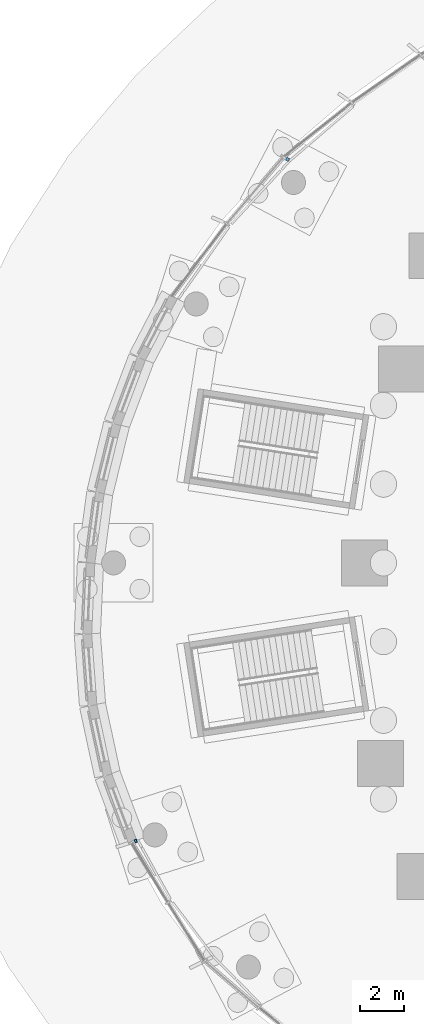
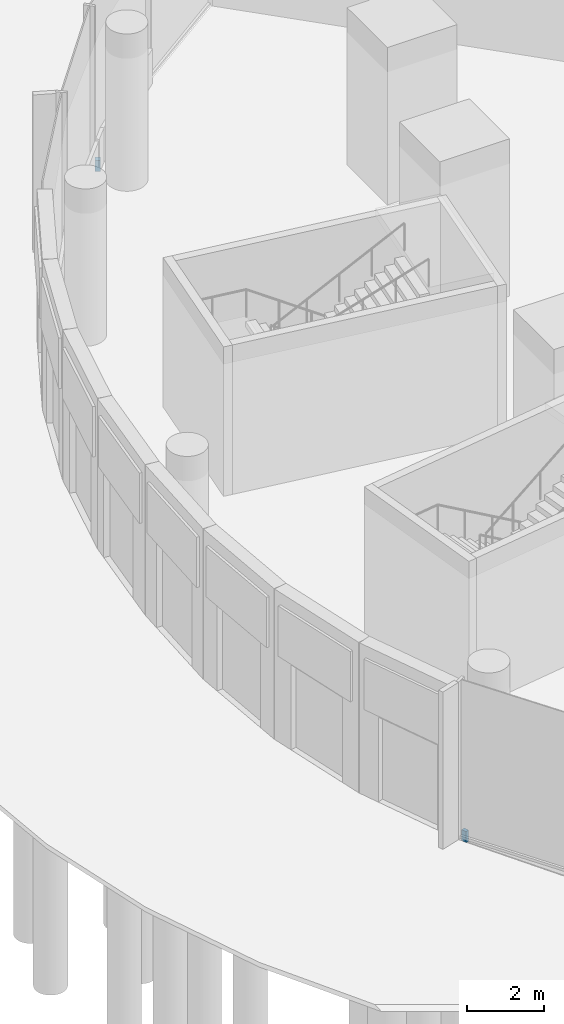
# One storey, part 19 of 29: 2 discrete accessories.
"""IFC4 building model written with IfcOpenShell, lengths in metres."""

from ifc_helpers import new_model, si_unit, direction, frame, origin, origin_2d, place, context, subcontext, project, spatial, rectangle, extrude, material, type_object, element, save


model = new_model("IFC4")

# Units and contexts
model_context = context("Model", 3, precision=1e-05, world=origin(), true_north=direction((0.0, 1.0)))
body_context = subcontext(model_context, "Body", "Model", "MODEL_VIEW")
ifc_project = project(units=[si_unit("LENGTHUNIT", "METRE"), si_unit("AREAUNIT", "SQUARE_METRE"), si_unit("VOLUMEUNIT", "CUBIC_METRE"), si_unit("PLANEANGLEUNIT", "RADIAN"), si_unit("MASSUNIT", "GRAM", prefix="KILO")], contexts=[model_context])

# Site, building, storey
site_placement = place(None, origin())
site = spatial("IfcSite", under=ifc_project, at=site_placement, CompositionType="ELEMENT")
building_placement = place(site_placement, origin())
building = spatial("IfcBuilding", under=site, at=building_placement, Name="Ghaith Harvest Tower", CompositionType="ELEMENT")
storey_placement = place(building_placement, origin())
storey = spatial("IfcBuildingStorey", under=building, at=storey_placement, Name="L00", CompositionType="ELEMENT", Elevation=0.0)

# Discrete accessories
ifc_material_1 = material(Name="Stainless steel grade 1.4401", Category="steel")
discrete_accessory_type_1 = type_object("IfcDiscreteAccessoryType", Name="CURTAIN WALL BRACKET 105", PredefinedType="BRACKET", material=ifc_material_1)
discrete_accessory_1_placement = place(storey_placement, frame((-40.1279296875, -12.71728515625, -0.25), z_axis=(0.0, 0.0, 1.0), x_axis=(-0.953273219416, -0.302109531701, 0.0)))
element("IfcDiscreteAccessory", 1, at=discrete_accessory_1_placement, inside=storey, type_object=discrete_accessory_type_1, Name="CW-P bracket 1 bay 12 L00", PredefinedType="BRACKET", context=body_context, shape_type="SweptSolid", body=[
    extrude(rectangle(XDim=0.10498046875, YDim=0.14990234375, at=origin_2d()), origin(), (0.0, 0.0, 1.0), 0.35009765625),
])
ifc_material_2 = material(Name="Stainless steel grade 1.4401", Category="steel")
discrete_accessory_type_2 = type_object("IfcDiscreteAccessoryType", Name="CURTAIN WALL BRACKET 145", PredefinedType="BRACKET", material=ifc_material_2)
discrete_accessory_2_placement = place(storey_placement, frame((-33.18359375, 18.455810546875, -0.25), z_axis=(0.0, 0.0, 1.0), x_axis=(-0.873926916005, 0.486057347935, 0.0)))
element("IfcDiscreteAccessory", 2, at=discrete_accessory_2_placement, inside=storey, type_object=discrete_accessory_type_2, Name="CW-P bracket 2 bay 09 L00", PredefinedType="BRACKET", context=body_context, shape_type="SweptSolid", body=[
    extrude(rectangle(XDim=0.14501953125, YDim=0.14990234375, at=origin_2d()), origin(), (0.0, 0.0, 1.0), 0.35009765625),
])

save(model, "model.ifc")
